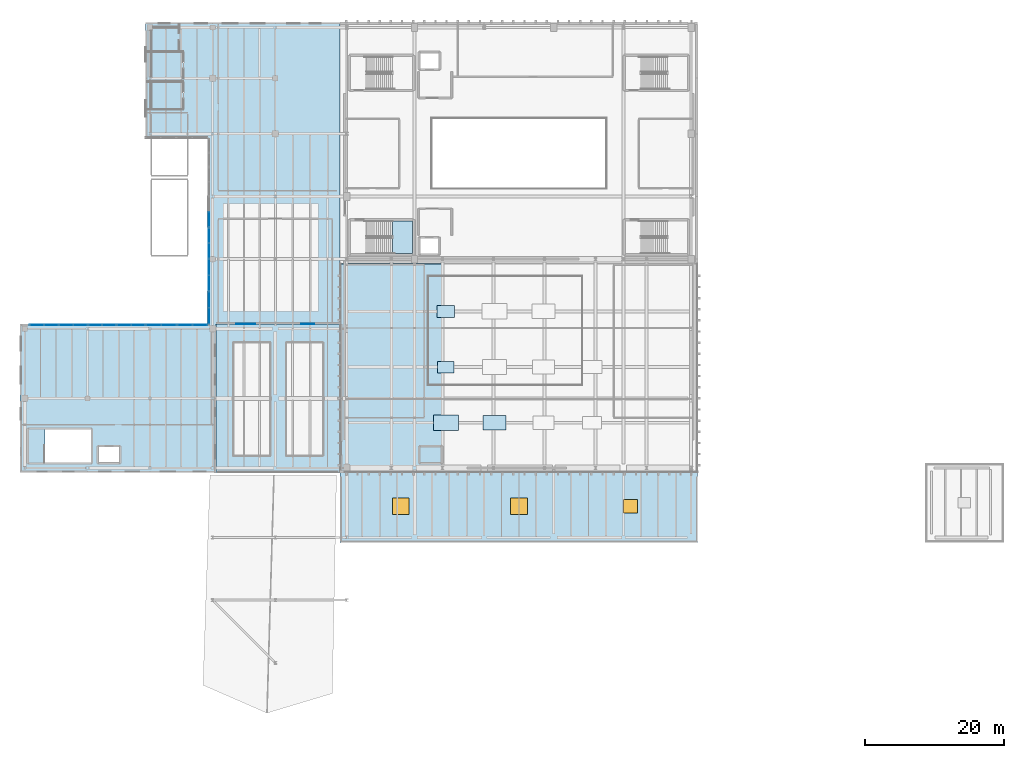
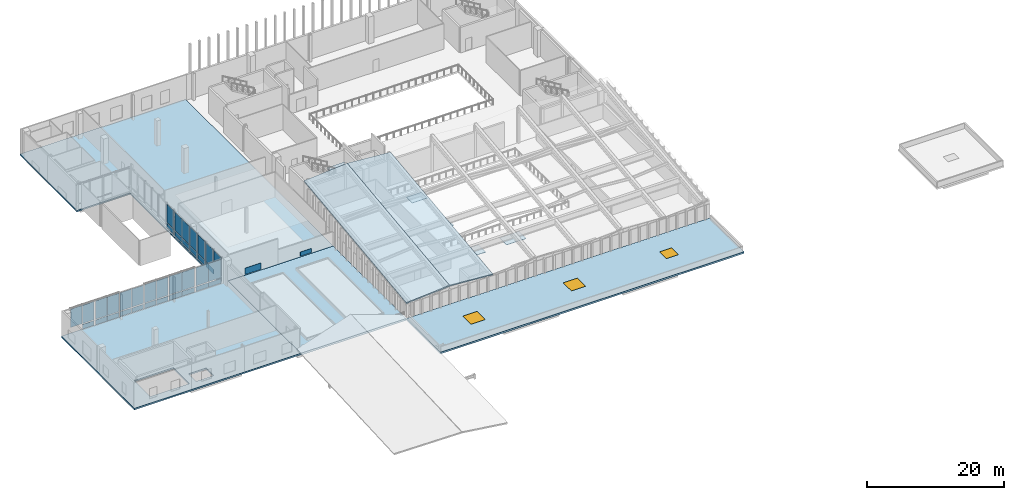
# One storey, part 16 of 30: 43 plates, 6 slabs, 3 windows, 3 openings, 11 elements without a shape of their own.
"""IFC4 building model written with IfcOpenShell, lengths in metres."""

from ifc_helpers import new_model, si_unit, direction, frame, origin, origin_2d, place, context, subcontext, project, spatial, polyline, rectangle, outline, extrude, material, layer, layer_set, type_object, element, fill, aggregate, save


model = new_model("IFC4")

# Units and contexts
model_context = context("Model", 3, precision=1e-05, world=origin(), true_north=direction((0.0, 1.0)))
body_context = subcontext(model_context, "Body", "Model", "MODEL_VIEW")
ifc_project = project(units=[si_unit("LENGTHUNIT", "METRE"), si_unit("AREAUNIT", "SQUARE_METRE"), si_unit("VOLUMEUNIT", "CUBIC_METRE"), si_unit("PLANEANGLEUNIT", "RADIAN"), si_unit("MASSUNIT", "GRAM", prefix="KILO")], contexts=[model_context])

# Site, building, storey
site_placement = place(None, origin())
site = spatial("IfcSite", under=ifc_project, at=site_placement, CompositionType="ELEMENT")
building_placement = place(site_placement, origin())
building = spatial("IfcBuilding", under=site, at=building_placement, Name="Trimount Lyric Opera House", CompositionType="ELEMENT")
storey_placement = place(building_placement, frame((0.0, 0.0, 24.800048828125)))
storey = spatial("IfcBuildingStorey", under=building, at=storey_placement, Name="L05", CompositionType="ELEMENT", Elevation=24.800048828125)

# Plates
ifc_material_1 = material(Name="White Oak Acoustic Panelling")
ifc_layer_1 = layer(ifc_material_1, 0.06494140625)
ifc_layer_set_1 = layer_set([ifc_layer_1], Name="AR-01")
plate_type_1 = type_object("IfcPlateType", Name="AR-01", PredefinedType="USERDEFINED", material=ifc_layer_set_1)
plate_1_placement = place(storey_placement, frame((78.5, 60.5, 2.18408203125), z_axis=(0.0, 0.0, 1.0), x_axis=(1.0, 0.0, 0.0)))
element("IfcPlate", 1, at=plate_1_placement, inside=storey, type_object=plate_type_1, Name="Auditorium soffit acoustic reflector 1.1", ObjectType="ACOUSTIC_REFLECTOR", PredefinedType="USERDEFINED", context=body_context, shape_type="SweptSolid", body=[
    extrude(rectangle(XDim=3.60009765625, YDim=2.199951171875, at=origin_2d()), origin(), (0.0, 0.0, 1.0), 0.06494140625),
])
ifc_material_2 = material(Name="White Oak Acoustic Panelling")
ifc_layer_2 = layer(ifc_material_2, 0.06005859375)
ifc_layer_set_2 = layer_set([ifc_layer_2], Name="AR-02")
plate_type_2 = type_object("IfcPlateType", Name="AR-02", PredefinedType="USERDEFINED", material=ifc_layer_set_2)
plate_2_placement = place(storey_placement, frame((85.5, 60.5, 2.18896484375), z_axis=(0.0, 0.0, 1.0), x_axis=(1.0, 0.0, 0.0)))
element("IfcPlate", 2, at=plate_2_placement, inside=storey, type_object=plate_type_2, Name="Auditorium soffit acoustic reflector 2.1", ObjectType="ACOUSTIC_REFLECTOR", PredefinedType="USERDEFINED", context=body_context, shape_type="SweptSolid", body=[
    extrude(rectangle(XDim=3.300048828125, YDim=2.10009765625, at=origin_2d()), origin(), (0.0, 0.0, 1.0), 0.06005859375),
])
ifc_material_3 = material(Name="White Oak Acoustic Panelling")
ifc_layer_3 = layer(ifc_material_3, 0.050048828125)
ifc_layer_set_3 = layer_set([ifc_layer_3], Name="AR-05")
plate_type_3 = type_object("IfcPlateType", Name="AR-05", PredefinedType="USERDEFINED", material=ifc_layer_set_3)
plate_3_placement = place(storey_placement, frame((78.5, 68.5, 2.19873046875), z_axis=(0.0, 0.0, 1.0), x_axis=(1.0, 0.0, 0.0)))
element("IfcPlate", 3, at=plate_3_placement, inside=storey, type_object=plate_type_3, Name="Auditorium soffit acoustic reflector 1.2", ObjectType="ACOUSTIC_REFLECTOR", PredefinedType="USERDEFINED", context=body_context, shape_type="SweptSolid", body=[
    extrude(rectangle(XDim=2.39990234375, YDim=1.64990234375, at=origin_2d()), origin(), (0.0, 0.0, 1.0), 0.050048828125),
])
ifc_material_4 = material(Name="White Oak Acoustic Panelling")
ifc_layer_4 = layer(ifc_material_4, 0.052001953125)
ifc_layer_set_4 = layer_set([ifc_layer_4], Name="AR-09")
plate_type_4 = type_object("IfcPlateType", Name="AR-09", PredefinedType="USERDEFINED", material=ifc_layer_set_4)
plate_4_placement = place(storey_placement, frame((78.5, 76.5, 2.19677734375), z_axis=(0.0, 0.0, 1.0), x_axis=(1.0, 0.0, 0.0)))
element("IfcPlate", 4, at=plate_4_placement, inside=storey, type_object=plate_type_4, Name="Auditorium north acoustic reflector 1", ObjectType="ACOUSTIC_REFLECTOR", PredefinedType="USERDEFINED", context=body_context, shape_type="SweptSolid", body=[
    extrude(rectangle(XDim=2.550048828125, YDim=1.719970703125, at=origin_2d()), origin(), (0.0, 0.0, 1.0), 0.052001953125),
])

# Curtain wall, plate
ifc_material_5 = material(Name="Thermally Broken Aluminium and Low-E Glass", Category="aluminium")
curtain_wall_type = type_object("IfcCurtainWallType", Name="CW-03", PredefinedType="NOTDEFINED", material=ifc_material_5)
curtain_wall_1_placement = place(storey_placement, origin())
curtain_wall_1 = element("IfcCurtainWall", 5, at=curtain_wall_1_placement, inside=storey, type_object=curtain_wall_type, Name="L05 curtain wall 337", PredefinedType="NOTDEFINED")
ifc_material_6 = material(Name="Triple Low-E Acoustic Laminated Glass", Category="glass")
ifc_layer_5 = layer(ifc_material_6, 0.035888671875)
ifc_layer_set_5 = layer_set([ifc_layer_5], Name="CWP-01")
plate_type_5 = type_object("IfcPlateType", Name="CWP-01", PredefinedType="CURTAIN_PANEL", material=ifc_layer_set_5)
plate_5_placement = place(storey_placement, frame((21.78369140625, 74.5400390625, 0.134765625), z_axis=(0.0, 0.0, 1.0), x_axis=(1.0, 0.0, 0.0)))
plate_5 = element("IfcPlate", 6, at=plate_5_placement, type_object=plate_type_5, Name="CW-03 panel 2.1", PredefinedType="CURTAIN_PANEL", context=body_context, shape_type="SweptSolid", body=[
    extrude(rectangle(XDim=1.982421875, YDim=0.035888671875, at=origin_2d()), origin(), (0.0, 0.0, 1.0), 0.847412109375),
])

# Curtain wall, plates
curtain_wall_2_placement = place(storey_placement, origin())
curtain_wall_2 = element("IfcCurtainWall", 7, at=curtain_wall_2_placement, inside=storey, type_object=curtain_wall_type, Name="L05 curtain wall 338", PredefinedType="NOTDEFINED")
plate_6_placement = place(storey_placement, frame((23.96240234375, 74.5400390625, 0.114990234375), z_axis=(0.0, 0.0, 1.0), x_axis=(1.0, 0.0, 0.0)))
plate_6 = element("IfcPlate", 8, at=plate_6_placement, type_object=plate_type_5, Name="CW-03 panel 1.1", PredefinedType="CURTAIN_PANEL", context=body_context, shape_type="SweptSolid", body=[
    extrude(rectangle(XDim=1.945068359375, YDim=0.035888671875, at=origin_2d()), origin(), (0.0, 0.0, 1.0), 0.87744140625),
])
plate_7_placement = place(storey_placement, frame((25.967529296875, 74.5400390625, 0.114990234375), z_axis=(0.0, 0.0, 1.0), x_axis=(1.0, 0.0, 0.0)))
plate_7 = element("IfcPlate", 9, at=plate_7_placement, type_object=plate_type_5, Name="CW-03 panel 2.1", PredefinedType="CURTAIN_PANEL", context=body_context, shape_type="SweptSolid", body=[
    extrude(rectangle(XDim=1.945068359375, YDim=0.035888671875, at=origin_2d()), origin(), (0.0, 0.0, 1.0), 0.87744140625),
])

curtain_wall_3_placement = place(storey_placement, origin())
curtain_wall_3 = element("IfcCurtainWall", 10, at=curtain_wall_3_placement, inside=storey, type_object=curtain_wall_type, Name="L05 curtain wall 339", PredefinedType="NOTDEFINED")
plate_8_placement = place(storey_placement, frame((28.125, 74.5400390625, 0.159912109375), z_axis=(0.0, 0.0, 1.0), x_axis=(1.0, 0.0, 0.0)))
plate_8 = element("IfcPlate", 11, at=plate_8_placement, type_object=plate_type_5, Name="CW-03 panel 1.1", PredefinedType="CURTAIN_PANEL", context=body_context, shape_type="SweptSolid", body=[
    extrude(rectangle(XDim=1.929931640625, YDim=0.035888671875, at=origin_2d()), origin(), (0.0, 0.0, 1.0), 0.81005859375),
])
plate_9_placement = place(storey_placement, frame((30.125, 74.5400390625, 0.159912109375), z_axis=(0.0, 0.0, 1.0), x_axis=(1.0, 0.0, 0.0)))
plate_9 = element("IfcPlate", 12, at=plate_9_placement, type_object=plate_type_5, Name="CW-03 panel 2.1", PredefinedType="CURTAIN_PANEL", context=body_context, shape_type="SweptSolid", body=[
    extrude(rectangle(XDim=1.929931640625, YDim=0.035888671875, at=origin_2d()), origin(), (0.0, 0.0, 1.0), 0.81005859375),
])

curtain_wall_4_placement = place(storey_placement, origin())
curtain_wall_4 = element("IfcCurtainWall", 13, at=curtain_wall_4_placement, inside=storey, type_object=curtain_wall_type, Name="L05 curtain wall 340", PredefinedType="NOTDEFINED")
plate_10_placement = place(storey_placement, frame((32.28369140625, 74.5400390625, 0.134765625), z_axis=(0.0, 0.0, 1.0), x_axis=(1.0, 0.0, 0.0)))
plate_10 = element("IfcPlate", 14, at=plate_10_placement, type_object=plate_type_5, Name="CW-03 panel 1.1", PredefinedType="CURTAIN_PANEL", context=body_context, shape_type="SweptSolid", body=[
    extrude(rectangle(XDim=1.9375, YDim=0.035888671875, at=origin_2d()), origin(), (0.0, 0.0, 1.0), 0.847412109375),
])
plate_11_placement = place(storey_placement, frame((34.2861328125, 74.5400390625, 0.134765625), z_axis=(0.0, 0.0, 1.0), x_axis=(1.0, 0.0, 0.0)))
plate_11 = element("IfcPlate", 15, at=plate_11_placement, type_object=plate_type_5, Name="CW-03 panel 2.1", PredefinedType="CURTAIN_PANEL", context=body_context, shape_type="SweptSolid", body=[
    extrude(rectangle(XDim=1.9375, YDim=0.035888671875, at=origin_2d()), origin(), (0.0, 0.0, 1.0), 0.847412109375),
])

curtain_wall_5_placement = place(storey_placement, origin())
curtain_wall_5 = element("IfcCurtainWall", 16, at=curtain_wall_5_placement, inside=storey, type_object=curtain_wall_type, Name="L05 curtain wall 341", PredefinedType="NOTDEFINED")
plate_12_placement = place(storey_placement, frame((36.527587890625, 74.5400390625, 0.114990234375), z_axis=(0.0, 0.0, 1.0), x_axis=(1.0, 0.0, 0.0)))
plate_12 = element("IfcPlate", 17, at=plate_12_placement, type_object=plate_type_5, Name="CW-03 panel 1.1", PredefinedType="CURTAIN_PANEL", context=body_context, shape_type="SweptSolid", body=[
    extrude(rectangle(XDim=2.114990234375, YDim=0.035888671875, at=origin_2d()), origin(), (0.0, 0.0, 1.0), 0.87744140625),
])
plate_13_placement = place(storey_placement, frame((38.702392578125, 74.5400390625, 0.114990234375), z_axis=(0.0, 0.0, 1.0), x_axis=(1.0, 0.0, 0.0)))
plate_13 = element("IfcPlate", 18, at=plate_13_placement, type_object=plate_type_5, Name="CW-03 panel 2.1", PredefinedType="CURTAIN_PANEL", context=body_context, shape_type="SweptSolid", body=[
    extrude(rectangle(XDim=2.114990234375, YDim=0.035888671875, at=origin_2d()), origin(), (0.0, 0.0, 1.0), 0.87744140625),
])

curtain_wall_6_placement = place(storey_placement, origin())
curtain_wall_6 = element("IfcCurtainWall", 19, at=curtain_wall_6_placement, inside=storey, type_object=curtain_wall_type, Name="L05 curtain wall 342", PredefinedType="NOTDEFINED")
plate_14_placement = place(storey_placement, frame((41.030029296875, 74.5400390625, 0.159912109375), z_axis=(0.0, 0.0, 1.0), x_axis=(1.0, 0.0, 0.0)))
plate_14 = element("IfcPlate", 20, at=plate_14_placement, type_object=plate_type_5, Name="CW-03 panel 1.1", PredefinedType="CURTAIN_PANEL", context=body_context, shape_type="SweptSolid", body=[
    extrude(rectangle(XDim=2.10009765625, YDim=0.035888671875, at=origin_2d()), origin(), (0.0, 0.0, 1.0), 0.81005859375),
])
plate_15_placement = place(storey_placement, frame((43.199951171875, 74.5400390625, 0.159912109375), z_axis=(0.0, 0.0, 1.0), x_axis=(1.0, 0.0, 0.0)))
plate_15 = element("IfcPlate", 21, at=plate_15_placement, type_object=plate_type_5, Name="CW-03 panel 2.1", PredefinedType="CURTAIN_PANEL", context=body_context, shape_type="SweptSolid", body=[
    extrude(rectangle(XDim=2.10009765625, YDim=0.035888671875, at=origin_2d()), origin(), (0.0, 0.0, 1.0), 0.81005859375),
])

curtain_wall_7_placement = place(storey_placement, origin())
curtain_wall_7 = element("IfcCurtainWall", 22, at=curtain_wall_7_placement, inside=storey, type_object=curtain_wall_type, Name="L05 curtain wall 343", PredefinedType="NOTDEFINED")
plate_16_placement = place(storey_placement, frame((44.4599609375, 75.861328125, 0.134765625), z_axis=(0.0, 0.0, 1.0), x_axis=(0.0, 1.0, 0.0)))
plate_16 = element("IfcPlate", 23, at=plate_16_placement, type_object=plate_type_5, Name="CW-03 panel 1.1", PredefinedType="CURTAIN_PANEL", context=body_context, shape_type="SweptSolid", body=[
    extrude(rectangle(XDim=2.232421875, YDim=0.035888671875, at=origin_2d()), origin(), (0.0, 0.0, 1.0), 0.847412109375),
])
plate_17_placement = place(storey_placement, frame((44.4599609375, 78.15869140625, 0.134765625), z_axis=(0.0, 0.0, 1.0), x_axis=(0.0, 1.0, 0.0)))
plate_17 = element("IfcPlate", 24, at=plate_17_placement, type_object=plate_type_5, Name="CW-03 panel 2.1", PredefinedType="CURTAIN_PANEL", context=body_context, shape_type="SweptSolid", body=[
    extrude(rectangle(XDim=2.232421875, YDim=0.035888671875, at=origin_2d()), origin(), (0.0, 0.0, 1.0), 0.847412109375),
])

curtain_wall_8_placement = place(storey_placement, origin())
curtain_wall_8 = element("IfcCurtainWall", 25, at=curtain_wall_8_placement, inside=storey, type_object=curtain_wall_type, Name="L05 curtain wall 344", PredefinedType="NOTDEFINED")
plate_18_placement = place(storey_placement, frame((44.4599609375, 80.58740234375, 0.114990234375), z_axis=(0.0, 0.0, 1.0), x_axis=(0.0, 1.0, 0.0)))
plate_18 = element("IfcPlate", 26, at=plate_18_placement, type_object=plate_type_5, Name="CW-03 panel 1.1", PredefinedType="CURTAIN_PANEL", context=body_context, shape_type="SweptSolid", body=[
    extrude(rectangle(XDim=2.195068359375, YDim=0.035888671875, at=origin_2d()), origin(), (0.0, 0.0, 1.0), 0.87744140625),
])
plate_19_placement = place(storey_placement, frame((44.4599609375, 82.842529296875, 0.114990234375), z_axis=(0.0, 0.0, 1.0), x_axis=(0.0, 1.0, 0.0)))
plate_19 = element("IfcPlate", 27, at=plate_19_placement, type_object=plate_type_5, Name="CW-03 panel 2.1", PredefinedType="CURTAIN_PANEL", context=body_context, shape_type="SweptSolid", body=[
    extrude(rectangle(XDim=2.195068359375, YDim=0.035888671875, at=origin_2d()), origin(), (0.0, 0.0, 1.0), 0.87744140625),
])

curtain_wall_9_placement = place(storey_placement, origin())
curtain_wall_9 = element("IfcCurtainWall", 28, at=curtain_wall_9_placement, inside=storey, type_object=curtain_wall_type, Name="L05 curtain wall 345", PredefinedType="NOTDEFINED")
plate_20_placement = place(storey_placement, frame((44.4599609375, 85.2099609375, 0.159912109375), z_axis=(0.0, 0.0, 1.0), x_axis=(0.0, 1.0, 0.0)))
plate_20 = element("IfcPlate", 29, at=plate_20_placement, type_object=plate_type_5, Name="CW-03 panel 1.1", PredefinedType="CURTAIN_PANEL", context=body_context, shape_type="SweptSolid", body=[
    extrude(rectangle(XDim=2.10009765625, YDim=0.035888671875, at=origin_2d()), origin(), (0.0, 0.0, 1.0), 0.81005859375),
])
plate_21_placement = place(storey_placement, frame((44.4599609375, 87.3798828125, 0.159912109375), z_axis=(0.0, 0.0, 1.0), x_axis=(0.0, 1.0, 0.0)))
plate_21 = element("IfcPlate", 30, at=plate_21_placement, type_object=plate_type_5, Name="CW-03 panel 2.1", PredefinedType="CURTAIN_PANEL", context=body_context, shape_type="SweptSolid", body=[
    extrude(rectangle(XDim=2.10009765625, YDim=0.035888671875, at=origin_2d()), origin(), (0.0, 0.0, 1.0), 0.81005859375),
])

# Curtain wall, plate
curtain_wall_10_placement = place(storey_placement, origin())
curtain_wall_10 = element("IfcCurtainWall", 31, at=curtain_wall_10_placement, inside=storey, type_object=curtain_wall_type, Name="L05 curtain wall 346", PredefinedType="NOTDEFINED")
plate_22_placement = place(storey_placement, frame((44.4599609375, 89.708740234375, 0.134765625), z_axis=(0.0, 0.0, 1.0), x_axis=(0.0, 1.0, 0.0)))
plate_22 = element("IfcPlate", 32, at=plate_22_placement, type_object=plate_type_5, Name="CW-03 panel 1.1", PredefinedType="CURTAIN_PANEL", context=body_context, shape_type="SweptSolid", body=[
    extrude(rectangle(XDim=2.107421875, YDim=0.035888671875, at=origin_2d()), origin(), (0.0, 0.0, 1.0), 0.847412109375),
])

# Plate
ifc_material_7 = material(Name="Insulated Aluminium Shadow-Box Spandrel Panel", Category="aluminium")
ifc_layer_6 = layer(ifc_material_7, 0.0419921875)
ifc_layer_set_6 = layer_set([ifc_layer_6], Name="CWP-04")
plate_type_6 = type_object("IfcPlateType", Name="CWP-04", PredefinedType="CURTAIN_PANEL", material=ifc_layer_set_6)
plate_23_placement = place(storey_placement, frame((19.736328125, 74.5400390625, 1.1171875), z_axis=(0.0, 0.0, 1.0), x_axis=(1.0, 0.0, 0.0)))
plate_23 = element("IfcPlate", 33, at=plate_23_placement, type_object=plate_type_6, Name="CW-03 panel 1.2", PredefinedType="CURTAIN_PANEL", context=body_context, shape_type="SweptSolid", body=[
    extrude(rectangle(XDim=1.982421875, YDim=0.035888671875, at=origin_2d()), origin(), (0.0, 0.0, 1.0), 3.277587890625),
])

plate_24_placement = place(storey_placement, frame((21.78369140625, 74.5400390625, 1.1171875), z_axis=(0.0, 0.0, 1.0), x_axis=(1.0, 0.0, 0.0)))
plate_24 = element("IfcPlate", 34, at=plate_24_placement, type_object=plate_type_6, Name="CW-03 panel 2.2", PredefinedType="CURTAIN_PANEL", context=body_context, shape_type="SweptSolid", body=[
    extrude(rectangle(XDim=1.982421875, YDim=0.035888671875, at=origin_2d()), origin(), (0.0, 0.0, 1.0), 3.277587890625),
])

aggregate(curtain_wall_1, [plate_23, plate_5, plate_24])

plate_25_placement = place(storey_placement, frame((23.96240234375, 74.5400390625, 1.107421875), z_axis=(0.0, 0.0, 1.0), x_axis=(1.0, 0.0, 0.0)))
plate_25 = element("IfcPlate", 35, at=plate_25_placement, type_object=plate_type_6, Name="CW-03 panel 1.2", PredefinedType="CURTAIN_PANEL", context=body_context, shape_type="SweptSolid", body=[
    extrude(rectangle(XDim=1.945068359375, YDim=0.035888671875, at=origin_2d()), origin(), (0.0, 0.0, 1.0), 3.3076171875),
])

plate_26_placement = place(storey_placement, frame((25.967529296875, 74.5400390625, 1.107421875), z_axis=(0.0, 0.0, 1.0), x_axis=(1.0, 0.0, 0.0)))
plate_26 = element("IfcPlate", 36, at=plate_26_placement, type_object=plate_type_6, Name="CW-03 panel 2.2", PredefinedType="CURTAIN_PANEL", context=body_context, shape_type="SweptSolid", body=[
    extrude(rectangle(XDim=1.945068359375, YDim=0.035888671875, at=origin_2d()), origin(), (0.0, 0.0, 1.0), 3.3076171875),
])

aggregate(curtain_wall_2, [plate_6, plate_25, plate_7, plate_26])

plate_27_placement = place(storey_placement, frame((28.125, 74.5400390625, 1.1298828125), z_axis=(0.0, 0.0, 1.0), x_axis=(1.0, 0.0, 0.0)))
plate_27 = element("IfcPlate", 37, at=plate_27_placement, type_object=plate_type_6, Name="CW-03 panel 1.2", PredefinedType="CURTAIN_PANEL", context=body_context, shape_type="SweptSolid", body=[
    extrude(rectangle(XDim=1.929931640625, YDim=0.035888671875, at=origin_2d()), origin(), (0.0, 0.0, 1.0), 3.239990234375),
])

plate_28_placement = place(storey_placement, frame((30.125, 74.5400390625, 1.1298828125), z_axis=(0.0, 0.0, 1.0), x_axis=(1.0, 0.0, 0.0)))
plate_28 = element("IfcPlate", 38, at=plate_28_placement, type_object=plate_type_6, Name="CW-03 panel 2.2", PredefinedType="CURTAIN_PANEL", context=body_context, shape_type="SweptSolid", body=[
    extrude(rectangle(XDim=1.929931640625, YDim=0.035888671875, at=origin_2d()), origin(), (0.0, 0.0, 1.0), 3.239990234375),
])

aggregate(curtain_wall_3, [plate_8, plate_27, plate_9, plate_28])

plate_29_placement = place(storey_placement, frame((32.28369140625, 74.5400390625, 1.1171875), z_axis=(0.0, 0.0, 1.0), x_axis=(1.0, 0.0, 0.0)))
plate_29 = element("IfcPlate", 39, at=plate_29_placement, type_object=plate_type_6, Name="CW-03 panel 1.2", PredefinedType="CURTAIN_PANEL", context=body_context, shape_type="SweptSolid", body=[
    extrude(rectangle(XDim=1.9375, YDim=0.035888671875, at=origin_2d()), origin(), (0.0, 0.0, 1.0), 3.277587890625),
])

plate_30_placement = place(storey_placement, frame((34.2861328125, 74.5400390625, 1.1171875), z_axis=(0.0, 0.0, 1.0), x_axis=(1.0, 0.0, 0.0)))
plate_30 = element("IfcPlate", 40, at=plate_30_placement, type_object=plate_type_6, Name="CW-03 panel 2.2", PredefinedType="CURTAIN_PANEL", context=body_context, shape_type="SweptSolid", body=[
    extrude(rectangle(XDim=1.9375, YDim=0.035888671875, at=origin_2d()), origin(), (0.0, 0.0, 1.0), 3.277587890625),
])

aggregate(curtain_wall_4, [plate_10, plate_29, plate_11, plate_30])

plate_31_placement = place(storey_placement, frame((36.527587890625, 74.5400390625, 1.107421875), z_axis=(0.0, 0.0, 1.0), x_axis=(1.0, 0.0, 0.0)))
plate_31 = element("IfcPlate", 41, at=plate_31_placement, type_object=plate_type_6, Name="CW-03 panel 1.2", PredefinedType="CURTAIN_PANEL", context=body_context, shape_type="SweptSolid", body=[
    extrude(rectangle(XDim=2.114990234375, YDim=0.035888671875, at=origin_2d()), origin(), (0.0, 0.0, 1.0), 3.3076171875),
])

plate_32_placement = place(storey_placement, frame((38.702392578125, 74.5400390625, 1.107421875), z_axis=(0.0, 0.0, 1.0), x_axis=(1.0, 0.0, 0.0)))
plate_32 = element("IfcPlate", 42, at=plate_32_placement, type_object=plate_type_6, Name="CW-03 panel 2.2", PredefinedType="CURTAIN_PANEL", context=body_context, shape_type="SweptSolid", body=[
    extrude(rectangle(XDim=2.114990234375, YDim=0.035888671875, at=origin_2d()), origin(), (0.0, 0.0, 1.0), 3.3076171875),
])

aggregate(curtain_wall_5, [plate_12, plate_31, plate_13, plate_32])

plate_33_placement = place(storey_placement, frame((41.030029296875, 74.5400390625, 1.1298828125), z_axis=(0.0, 0.0, 1.0), x_axis=(1.0, 0.0, 0.0)))
plate_33 = element("IfcPlate", 43, at=plate_33_placement, type_object=plate_type_6, Name="CW-03 panel 1.2", PredefinedType="CURTAIN_PANEL", context=body_context, shape_type="SweptSolid", body=[
    extrude(rectangle(XDim=2.10009765625, YDim=0.035888671875, at=origin_2d()), origin(), (0.0, 0.0, 1.0), 3.239990234375),
])

plate_34_placement = place(storey_placement, frame((43.199951171875, 74.5400390625, 1.1298828125), z_axis=(0.0, 0.0, 1.0), x_axis=(1.0, 0.0, 0.0)))
plate_34 = element("IfcPlate", 44, at=plate_34_placement, type_object=plate_type_6, Name="CW-03 panel 2.2", PredefinedType="CURTAIN_PANEL", context=body_context, shape_type="SweptSolid", body=[
    extrude(rectangle(XDim=2.10009765625, YDim=0.035888671875, at=origin_2d()), origin(), (0.0, 0.0, 1.0), 3.239990234375),
])

aggregate(curtain_wall_6, [plate_14, plate_33, plate_15, plate_34])

plate_35_placement = place(storey_placement, frame((44.4599609375, 75.861328125, 1.1171875), z_axis=(0.0, 0.0, 1.0), x_axis=(0.0, 1.0, 0.0)))
plate_35 = element("IfcPlate", 45, at=plate_35_placement, type_object=plate_type_6, Name="CW-03 panel 1.2", PredefinedType="CURTAIN_PANEL", context=body_context, shape_type="SweptSolid", body=[
    extrude(rectangle(XDim=2.232421875, YDim=0.035888671875, at=origin_2d()), origin(), (0.0, 0.0, 1.0), 3.277587890625),
])

plate_36_placement = place(storey_placement, frame((44.4599609375, 78.15869140625, 1.1171875), z_axis=(0.0, 0.0, 1.0), x_axis=(0.0, 1.0, 0.0)))
plate_36 = element("IfcPlate", 46, at=plate_36_placement, type_object=plate_type_6, Name="CW-03 panel 2.2", PredefinedType="CURTAIN_PANEL", context=body_context, shape_type="SweptSolid", body=[
    extrude(rectangle(XDim=2.232421875, YDim=0.035888671875, at=origin_2d()), origin(), (0.0, 0.0, 1.0), 3.277587890625),
])

aggregate(curtain_wall_7, [plate_16, plate_35, plate_17, plate_36])

plate_37_placement = place(storey_placement, frame((44.4599609375, 80.58740234375, 1.107421875), z_axis=(0.0, 0.0, 1.0), x_axis=(0.0, 1.0, 0.0)))
plate_37 = element("IfcPlate", 47, at=plate_37_placement, type_object=plate_type_6, Name="CW-03 panel 1.2", PredefinedType="CURTAIN_PANEL", context=body_context, shape_type="SweptSolid", body=[
    extrude(rectangle(XDim=2.195068359375, YDim=0.035888671875, at=origin_2d()), origin(), (0.0, 0.0, 1.0), 3.3076171875),
])

plate_38_placement = place(storey_placement, frame((44.4599609375, 82.842529296875, 1.107421875), z_axis=(0.0, 0.0, 1.0), x_axis=(0.0, 1.0, 0.0)))
plate_38 = element("IfcPlate", 48, at=plate_38_placement, type_object=plate_type_6, Name="CW-03 panel 2.2", PredefinedType="CURTAIN_PANEL", context=body_context, shape_type="SweptSolid", body=[
    extrude(rectangle(XDim=2.195068359375, YDim=0.035888671875, at=origin_2d()), origin(), (0.0, 0.0, 1.0), 3.3076171875),
])

aggregate(curtain_wall_8, [plate_18, plate_37, plate_19, plate_38])

plate_39_placement = place(storey_placement, frame((44.4599609375, 85.2099609375, 1.1298828125), z_axis=(0.0, 0.0, 1.0), x_axis=(0.0, 1.0, 0.0)))
plate_39 = element("IfcPlate", 49, at=plate_39_placement, type_object=plate_type_6, Name="CW-03 panel 1.2", PredefinedType="CURTAIN_PANEL", context=body_context, shape_type="SweptSolid", body=[
    extrude(rectangle(XDim=2.10009765625, YDim=0.035888671875, at=origin_2d()), origin(), (0.0, 0.0, 1.0), 3.239990234375),
])

plate_40_placement = place(storey_placement, frame((44.4599609375, 87.3798828125, 1.1298828125), z_axis=(0.0, 0.0, 1.0), x_axis=(0.0, 1.0, 0.0)))
plate_40 = element("IfcPlate", 50, at=plate_40_placement, type_object=plate_type_6, Name="CW-03 panel 2.2", PredefinedType="CURTAIN_PANEL", context=body_context, shape_type="SweptSolid", body=[
    extrude(rectangle(XDim=2.10009765625, YDim=0.035888671875, at=origin_2d()), origin(), (0.0, 0.0, 1.0), 3.239990234375),
])

aggregate(curtain_wall_9, [plate_20, plate_39, plate_21, plate_40])

plate_41_placement = place(storey_placement, frame((44.4599609375, 89.708740234375, 1.1171875), z_axis=(0.0, 0.0, 1.0), x_axis=(0.0, 1.0, 0.0)))
plate_41 = element("IfcPlate", 51, at=plate_41_placement, type_object=plate_type_6, Name="CW-03 panel 1.2", PredefinedType="CURTAIN_PANEL", context=body_context, shape_type="SweptSolid", body=[
    extrude(rectangle(XDim=2.107421875, YDim=0.035888671875, at=origin_2d()), origin(), (0.0, 0.0, 1.0), 3.277587890625),
])

aggregate(curtain_wall_10, [plate_22, plate_41])

# Plates
ifc_material_8 = material(Name="Anodised Aluminium 6063-T6", Category="aluminium")
ifc_layer_7 = layer(ifc_material_8, 1.14990234375)
ifc_layer_set_7 = layer_set([ifc_layer_7], Name="FP-01")
plate_type_7 = type_object("IfcPlateType", Name="FP-01", PredefinedType="SHEET", material=ifc_layer_set_7)
plate_42_placement = place(storey_placement, frame((49.75, 74.695556640625, 0.1201171875), z_axis=(0.0, 0.0, 1.0), x_axis=(1.0, 0.0, 0.0)))
element("IfcPlate", 52, at=plate_42_placement, inside=storey, type_object=plate_type_7, Name="Facade spandrel trim sheet 04", PredefinedType="SHEET", context=body_context, shape_type="SweptSolid", body=[
    extrude(rectangle(XDim=2.699951171875, YDim=0.044921875, at=origin_2d()), origin(), (0.0, 0.0, 1.0), 1.14990234375),
])
ifc_material_9 = material(Name="Anodised Aluminium 6063-T6", Category="aluminium")
ifc_layer_8 = layer(ifc_material_9, 0.75)
ifc_layer_set_8 = layer_set([ifc_layer_8], Name="FP-04")
plate_type_8 = type_object("IfcPlateType", Name="FP-04", PredefinedType="SHEET", material=ifc_layer_set_8)
plate_43_placement = place(storey_placement, frame((58.659912109375, 74.697998046875, 0.119873046875), z_axis=(0.0, 0.0, 1.0), x_axis=(1.0, 0.0, 0.0)))
element("IfcPlate", 53, at=plate_43_placement, inside=storey, type_object=plate_type_8, Name="Facade spandrel trim sheet 03", PredefinedType="SHEET", context=body_context, shape_type="SweptSolid", body=[
    extrude(rectangle(XDim=1.85009765625, YDim=0.0400390625, at=origin_2d()), origin(), (0.0, 0.0, 1.0), 0.75),
])

# Slab
ifc_material_10 = material(Name="Concrete C40/50", Category="concrete")
ifc_layer_9 = layer(ifc_material_10, 0.260009765625)
ifc_layer_set_9 = layer_set([ifc_layer_9], Name="SL-FL260")
slab_type_1 = type_object("IfcSlabType", Name="SL-FL260", PredefinedType="FLOOR", material=ifc_layer_set_9)
slab_1_placement = place(storey_placement, frame((0.0, 0.0, -0.260009765625)))
element("IfcSlab", 54, at=slab_1_placement, inside=storey, type_object=slab_type_1, Name="L05 floor slab L05-WEST-N", PredefinedType="FLOOR", context=body_context, shape_type="SweptSolid", body=[
    extrude(outline(polyline([(17.320068359375, 74.679931640625), (44.320068359375, 74.679931640625), (44.320068359375, 101.320068359375), (35.320068359375, 101.320068359375), (35.320068359375, 118.0), (63.320068359375, 118.0), (63.320068359375, 74.679931640625), (45.5, 74.679931640625), (45.5, 53.320068359375), (17.320068359375, 53.320068359375), (17.320068359375, 74.679931640625)]), holes=[polyline([(28.60009765625, 57.0), (28.60009765625, 54.800048828125), (31.60009765625, 54.800048828125), (31.60009765625, 57.0), (28.60009765625, 57.0)]), polyline([(20.89990234375, 59.5), (20.89990234375, 54.800048828125), (27.5, 54.800048828125), (27.5, 59.5), (20.89990234375, 59.5)])]), origin(), (0.0, 0.0, 1.0), 0.260009765625),
])

# Stair, slab
ifc_material_11 = material(Name="Concrete C40/50", Category="concrete")
stair_type = type_object("IfcStairType", Name="STR-CORE-B", PredefinedType="TWO_QUARTER_TURN_STAIR", material=ifc_material_11)
stair_placement = place(storey_placement, origin())
stair = element("IfcStair", 55, at=stair_placement, inside=storey, type_object=stair_type, Name="L05 Exit Stair ST-03", PredefinedType="TWO_QUARTER_TURN_STAIR")
ifc_material_12 = material(Name="Concrete C40/50", Category="concrete")
ifc_layer_10 = layer(ifc_material_12, 0.199951171875)
ifc_layer_set_10 = layer_set([ifc_layer_10], Name="SL-LND200")
slab_type_2 = type_object("IfcSlabType", Name="SL-LND200", PredefinedType="LANDING", material=ifc_layer_set_10)
slab_2_placement = place(storey_placement, frame((0.0, 0.0, 2.199951171875)))
slab_2 = element("IfcSlab", 56, at=slab_2_placement, type_object=slab_type_2, Name="ST-03 landing 1", PredefinedType="LANDING", context=body_context, shape_type="SweptSolid", body=[
    extrude(outline(polyline([(70.820068359375, 84.800048828125), (73.699951171875, 84.800048828125), (73.699951171875, 89.5), (70.820068359375, 89.5), (70.820068359375, 84.800048828125)])), origin(), (0.0, 0.0, 1.0), 0.199951171875),
])
aggregate(stair, [slab_2])

# Slabs
ifc_material_13 = material(Name="Concrete C35/45", Category="concrete")
ifc_layer_11 = layer(ifc_material_13, 0.2099609375)
ifc_layer_set_11 = layer_set([ifc_layer_11], Name="SL-RF210")
slab_type_3 = type_object("IfcSlabType", Name="SL-RF210", PredefinedType="ROOF", material=ifc_layer_set_11)
slab_3_placement = place(storey_placement, frame((70.6572265625, 53.320068359375, 3.369873046875), z_axis=(0.076888657797, -0.11976838332, 0.989820018316), x_axis=(0.996996556778, 1.966413e-06, -0.077445889299)))
element("IfcSlab", 57, at=slab_3_placement, inside=storey, type_object=slab_type_3, Name="Auditorium folded roof facet bay 2", PredefinedType="ROOF", context=body_context, shape_type="SweptSolid", body=[
    extrude(outline(polyline([(0.0, 0.0), (7.3592520084149315, -1.3877787807814457e-17), (7.078191498349175, 30.21749582952838), (-0.28107941775357403, 30.21752498207159), (0.0, 0.0)])), origin(), (0.0, 0.0, -1.0), 0.2099609375),
])
ifc_material_14 = material(Name="Concrete C40/50", Category="concrete")
ifc_layer_12 = layer(ifc_material_14, 0.25)
ifc_layer_set_12 = layer_set([ifc_layer_12], Name="SL-RF250")
slab_type_4 = type_object("IfcSlabType", Name="SL-RF250", PredefinedType="ROOF", material=ifc_layer_set_12)
slab_4_placement = place(storey_placement, frame((63.320068359375, 53.320068359375, 2.800048828125), z_axis=(-0.076888657797, -0.11976838332, 0.989820018316), x_axis=(0.996996556778, -1.966413e-06, 0.077445889299)))
element("IfcSlab", 58, at=slab_4_placement, inside=storey, type_object=slab_type_4, Name="Auditorium folded roof facet bay 1", PredefinedType="ROOF", context=body_context, shape_type="SweptSolid", body=[
    extrude(outline(polyline([(0.0, 0.0), (7.3592520084149315, 1.3877787807814457e-17), (7.640331426168505, 30.217524982071588), (0.28106051006575694, 30.21749582952838), (0.0, 0.0)])), origin(), (0.0, 0.0, -1.0), 0.25),
])

# Slab, openings, windows
ifc_material_15 = material(Name="Concrete C40/50", Category="concrete")
ifc_layer_13 = layer(ifc_material_15, 0.2900390625)
ifc_layer_set_13 = layer_set([ifc_layer_13], Name="SL-RF290")
slab_type_5 = type_object("IfcSlabType", Name="SL-RF290", PredefinedType="ROOF", material=ifc_layer_set_13)
slab_5_placement = place(storey_placement, frame((0.0, 0.0, -0.2900390625)))
slab_5 = element("IfcSlab", 59, at=slab_5_placement, inside=storey, type_object=slab_type_5, Name="South foyer gallery flat roof", PredefinedType="ROOF", context=body_context, shape_type="SweptSolid", body=[
    extrude(outline(polyline([(114.679931640625, 43.320068359375), (63.320068359375, 43.320068359375), (63.320068359375, 53.320068359375), (114.679931640625, 53.320068359375), (114.679931640625, 43.320068359375)])), origin(), (0.0, 0.0, 1.0), 0.2900390625),
])
opening_1_placement = place(slab_5_placement, frame((72.0, 48.5, 0.0)))
opening_1 = element("IfcOpeningElement", 60, at=opening_1_placement, cuts=slab_5, Name="Opening WT-SKY1", PredefinedType="OPENING", context=body_context, shape_type="SweptSolid", body=[
    extrude(rectangle(XDim=2.39990234375, YDim=2.39990234375, at=origin_2d()), frame((0.0, 0.0, -0.010009765625)), (0.0, 0.0, 1.0), 0.31005859375),
])
opening_2_placement = place(slab_5_placement, frame((89.0, 48.5, 0.0)))
opening_2 = element("IfcOpeningElement", 61, at=opening_2_placement, cuts=slab_5, Name="Opening WT-SKY1", PredefinedType="OPENING", context=body_context, shape_type="SweptSolid", body=[
    extrude(rectangle(XDim=2.39990234375, YDim=2.39990234375, at=origin_2d()), frame((0.0, 0.0, -0.010009765625)), (0.0, 0.0, 1.0), 0.31005859375),
])
opening_3_placement = place(slab_5_placement, frame((105.0, 48.5, 0.0)))
opening_3 = element("IfcOpeningElement", 62, at=opening_3_placement, cuts=slab_5, Name="Opening WT-SKY2", PredefinedType="OPENING", context=body_context, shape_type="SweptSolid", body=[
    extrude(rectangle(XDim=2.0, YDim=2.0, at=origin_2d()), frame((0.0, 0.0, -0.010009765625)), (0.0, 0.0, 1.0), 0.31005859375),
])
ifc_material_16 = material(Name="Automatic Stage Smoke Hatch Glazed Dome")
window_type_1 = type_object("IfcWindowType", Name="WT-SKY1", PartitioningType="SINGLE_PANEL", PredefinedType="SKYLIGHT", material=ifc_material_16)
window_1_placement = place(opening_1_placement, frame((0.0, 0.0, 0.239990234375)))
window_1 = element("IfcWindow", 63, at=window_1_placement, inside=storey, type_object=window_type_1, Name="South Foyer Gallery Daylight Skylight 1", OverallHeight=2.39990234375, OverallWidth=2.39990234375, PartitioningType="SINGLE_PANEL", PredefinedType="SKYLIGHT", context=body_context, shape_type="SweptSolid", body=[
    extrude(rectangle(XDim=2.39990234375, YDim=2.39990234375, at=origin_2d()), origin(), (0.0, 0.0, 1.0), 0.050048828125),
])
fill(opening_1, window_1)
window_2_placement = place(opening_2_placement, frame((0.0, 0.0, 0.239990234375)))
window_2 = element("IfcWindow", 64, at=window_2_placement, inside=storey, type_object=window_type_1, Name="South Foyer Gallery Daylight Skylight 2", OverallHeight=2.39990234375, OverallWidth=2.39990234375, PartitioningType="SINGLE_PANEL", PredefinedType="SKYLIGHT", context=body_context, shape_type="SweptSolid", body=[
    extrude(rectangle(XDim=2.39990234375, YDim=2.39990234375, at=origin_2d()), origin(), (0.0, 0.0, 1.0), 0.050048828125),
])
fill(opening_2, window_2)
ifc_material_17 = material(Name="Thermally Broken Roof Access Skylight")
window_type_2 = type_object("IfcWindowType", Name="WT-SKY2", PartitioningType="SINGLE_PANEL", PredefinedType="SKYLIGHT", material=ifc_material_17)
window_3_placement = place(opening_3_placement, frame((0.0, 0.0, 0.239990234375)))
window_3 = element("IfcWindow", 65, at=window_3_placement, inside=storey, type_object=window_type_2, Name="South Foyer Gallery Daylight Skylight 3", OverallHeight=2.0, OverallWidth=2.0, PartitioningType="SINGLE_PANEL", PredefinedType="SKYLIGHT", context=body_context, shape_type="SweptSolid", body=[
    extrude(rectangle(XDim=2.0, YDim=2.0, at=origin_2d()), origin(), (0.0, 0.0, 1.0), 0.050048828125),
])
fill(opening_3, window_3)

# Slab
ifc_material_18 = material(Name="Concrete C40/50", Category="concrete")
ifc_layer_14 = layer(ifc_material_18, 0.35009765625)
ifc_layer_set_14 = layer_set([ifc_layer_14], Name="SL-TERR350")
slab_type_6 = type_object("IfcSlabType", Name="SL-TERR350", PredefinedType="FLOOR", material=ifc_layer_set_14)
slab_6_placement = place(storey_placement, frame((0.0, 0.0, -0.35009765625)))
element("IfcSlab", 66, at=slab_6_placement, inside=storey, type_object=slab_type_6, Name="L05 terrace slab L05-RG-WEST", PredefinedType="FLOOR", context=body_context, shape_type="SweptSolid", body=[
    extrude(outline(polyline([(63.320068359375, 53.320068359375), (45.5, 53.320068359375), (45.5, 74.679931640625), (63.320068359375, 74.679931640625), (63.320068359375, 53.320068359375)])), origin(), (0.0, 0.0, 1.0), 0.35009765625),
])

save(model, "model.ifc")
